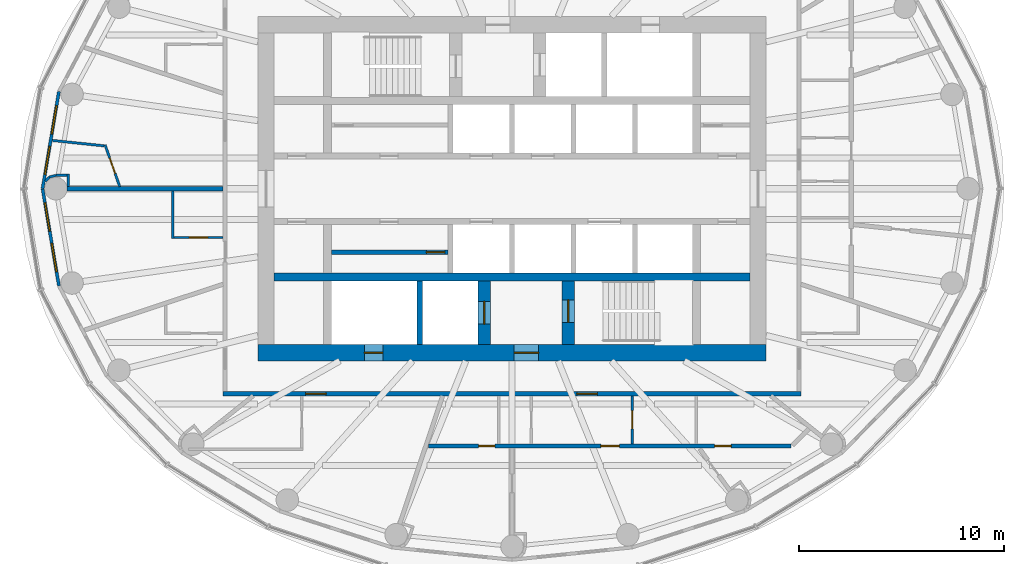
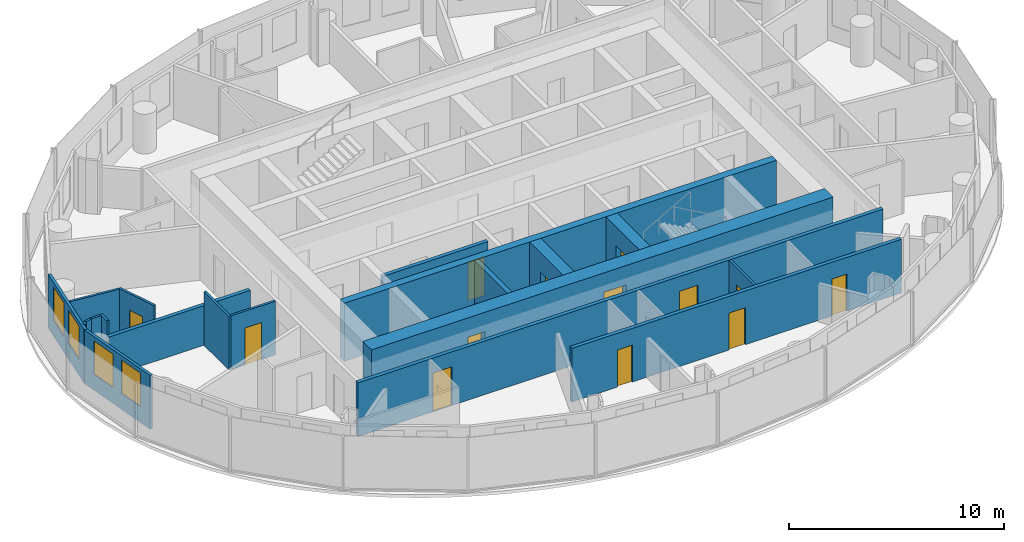
# One storey, part 7 of 14: 20 walls, 13 doors, 4 windows, 17 openings.
"""IFC4 building model written with IfcOpenShell, lengths in metres."""

from ifc_helpers import new_model, si_unit, direction, frame, frame_2d, origin, place, context, subcontext, project, spatial, rectangle, extrude, material, layer, layer_set, type_object, element, fill, save


model = new_model("IFC4")

# Units and contexts
model_context = context("Model", 3, precision=1e-05, world=origin(), true_north=direction((0.0, 1.0)))
body_context = subcontext(model_context, "Body", "Model", "MODEL_VIEW")
ifc_project = project(units=[si_unit("LENGTHUNIT", "METRE"), si_unit("AREAUNIT", "SQUARE_METRE"), si_unit("VOLUMEUNIT", "CUBIC_METRE"), si_unit("PLANEANGLEUNIT", "RADIAN"), si_unit("MASSUNIT", "GRAM", prefix="KILO")], contexts=[model_context])

# Site, building, storey
site_placement = place(None, origin())
site = spatial("IfcSite", under=ifc_project, at=site_placement, CompositionType="ELEMENT")
building_placement = place(site_placement, origin())
building = spatial("IfcBuilding", under=site, at=building_placement, Name="Hankou Lantern Tower", CompositionType="ELEMENT")
storey_placement = place(building_placement, frame((0.0, 0.0, 183.0)))
storey = spatial("IfcBuildingStorey", under=building, at=storey_placement, Name="L49", CompositionType="ELEMENT", Elevation=183.0)

# Wall, openings, doors
ifc_material_1 = material(Name="Concrete C60", Category="concrete")
ifc_layer_1 = layer(ifc_material_1, 0.800048828125)
ifc_layer_set_1 = layer_set([ifc_layer_1], Name="Concrete C60")
wall_type_1 = type_object("IfcWallType", Name="CW2 CORE WALL 800", PredefinedType="SHEAR", material=ifc_layer_set_1)
wall_1_placement = place(storey_placement, frame((12.39990234375, -8.0, 0.0), z_axis=(0.0, 0.0, 1.0), x_axis=(-1.0, 0.0, 0.0)))
wall_1 = element("IfcWall", 1, at=wall_1_placement, inside=storey, type_object=wall_type_1, Name="Core wall south L49", PredefinedType="SHEAR", context=body_context, shape_type="SweptSolid", body=[
    extrude(rectangle(XDim=24.7998046875, YDim=0.800048828125, at=frame_2d((12.39990234375, 0.0))), origin(), (0.0, 0.0, 1.0), 3.300048828125),
])
opening_1_placement = place(wall_1_placement, frame((11.10009765625, 0.0, 0.0)))
opening_1 = element("IfcOpeningElement", 2, at=opening_1_placement, cuts=wall_1, Name="Opening D5", PredefinedType="OPENING", context=body_context, shape_type="SweptSolid", body=[
    extrude(rectangle(XDim=1.199951171875, YDim=2.199951171875, at=frame_2d((0.60009765625, 1.10009765625))), frame((0.0, 0.409912109375, 0.0), z_axis=(0.0, -1.0, 0.0), x_axis=(1.0, 0.0, 0.0)), (0.0, 0.0, 1.0), 0.820068359375),
])
opening_2_placement = place(wall_1_placement, frame((18.699951171875, 0.0, 0.0)))
opening_2 = element("IfcOpeningElement", 3, at=opening_2_placement, cuts=wall_1, Name="Opening D7", PredefinedType="OPENING", context=body_context, shape_type="SweptSolid", body=[
    extrude(rectangle(XDim=0.89990234375, YDim=2.199951171875, at=frame_2d((0.449951171875, 1.10009765625))), frame((0.0, 0.409912109375, 0.0), z_axis=(0.0, -1.0, 0.0), x_axis=(1.0, 0.0, 0.0)), (0.0, 0.0, 1.0), 0.820068359375),
])
ifc_material_2 = material(Name="Steel door leaf", Category="steel")
door_type_1 = type_object("IfcDoorType", Name="D5 STAIR LOBBY DOOR 1200X2200", OperationType="SINGLE_SWING_LEFT", PredefinedType="DOOR", material=ifc_material_2)
door_1_placement = place(opening_1_placement, origin())
door_1 = element("IfcDoor", 4, at=door_1_placement, inside=storey, type_object=door_type_1, Name="Stair B lobby door", OperationType="SINGLE_SWING_LEFT", OverallHeight=2.199951171875, OverallWidth=1.199951171875, PredefinedType="DOOR", context=body_context, shape_type="SweptSolid", body=[
    extrude(rectangle(XDim=1.199951171875, YDim=2.199951171875, at=frame_2d((0.60009765625, 1.10009765625))), frame((0.0, 0.02490234375, 0.0), z_axis=(0.0, -1.0, 0.0), x_axis=(1.0, 0.0, 0.0)), (0.0, 0.0, 1.0), 0.050048828125),
])
fill(opening_1, door_1)
ifc_material_3 = material(Name="Steel door leaf", Category="steel")
door_type_2 = type_object("IfcDoorType", Name="D7 RISER DOOR 900X2200", OperationType="SINGLE_SWING_LEFT", PredefinedType="DOOR", material=ifc_material_3)
door_2_placement = place(opening_2_placement, origin())
door_2 = element("IfcDoor", 5, at=door_2_placement, inside=storey, type_object=door_type_2, Name="Riser S1 door", OperationType="SINGLE_SWING_RIGHT", OverallHeight=2.199951171875, OverallWidth=0.89990234375, PredefinedType="DOOR", context=body_context, shape_type="SweptSolid", body=[
    extrude(rectangle(XDim=0.89990234375, YDim=2.199951171875, at=frame_2d((0.449951171875, 1.10009765625))), frame((0.0, 0.02490234375, 0.0), z_axis=(0.0, -1.0, 0.0), x_axis=(1.0, 0.0, 0.0)), (0.0, 0.0, 1.0), 0.050048828125),
])
fill(opening_2, door_2)

# Wall
ifc_material_4 = material(Name="Concrete C60", Category="concrete")
ifc_layer_2 = layer(ifc_material_4, 0.39990234375)
ifc_layer_set_2 = layer_set([ifc_layer_2], Name="Concrete C60")
wall_type_2 = type_object("IfcWallType", Name="CW4 CORE CROSS WALL 400", PredefinedType="SHEAR", material=ifc_layer_set_2)
wall_2_placement = place(storey_placement, frame((-11.60009765625, -4.300048828125, 0.0), z_axis=(0.0, 0.0, 1.0), x_axis=(1.0, 0.0, 0.0)))
element("IfcWall", 6, at=wall_2_placement, inside=storey, type_object=wall_type_2, Name="Core band wall south L49", PredefinedType="SHEAR", context=body_context, shape_type="SweptSolid", body=[
    extrude(rectangle(XDim=23.2001953125, YDim=0.39990234375, at=frame_2d((11.60009765625, 0.0))), origin(), (0.0, 0.0, 1.0), 3.300048828125),
])

# Wall, opening, door
ifc_material_5 = material(Name="Concrete C60", Category="concrete")
ifc_layer_3 = layer(ifc_material_5, 0.60009765625)
ifc_layer_set_3 = layer_set([ifc_layer_3], Name="Concrete C60")
wall_type_3 = type_object("IfcWallType", Name="CW6 STAIR AND SHAFT WALL 600", PredefinedType="SHEAR", material=ifc_layer_set_3)
wall_3_placement = place(storey_placement, frame((2.75, -7.60009765625, 0.0), z_axis=(0.0, 0.0, 1.0), x_axis=(0.0, 1.0, 0.0)))
wall_3 = element("IfcWall", 7, at=wall_3_placement, inside=storey, type_object=wall_type_3, Name="Stair wall L49", PredefinedType="SHEAR", context=body_context, shape_type="SweptSolid", body=[
    extrude(rectangle(XDim=3.10009765625, YDim=0.60009765625, at=frame_2d((1.550048828125, 0.0))), origin(), (0.0, 0.0, 1.0), 3.300048828125),
])
opening_3_placement = place(wall_3_placement, frame((1.074951171875, 0.0, 0.0)))
opening_3 = element("IfcOpeningElement", 8, at=opening_3_placement, cuts=wall_3, Name="Opening D4", PredefinedType="OPENING", context=body_context, shape_type="SweptSolid", body=[
    extrude(rectangle(XDim=1.10009765625, YDim=2.199951171875, at=frame_2d((0.550048828125, 1.10009765625))), frame((0.0, 0.31005859375, 0.0), z_axis=(0.0, -1.0, 0.0), x_axis=(1.0, 0.0, 0.0)), (0.0, 0.0, 1.0), 0.6201171875),
])
ifc_material_6 = material(Name="Steel door leaf", Category="steel")
door_type_3 = type_object("IfcDoorType", Name="D4 STAIR DOOR 1100X2200", OperationType="SINGLE_SWING_LEFT", PredefinedType="DOOR", material=ifc_material_6)
door_3_placement = place(opening_3_placement, origin())
door_3 = element("IfcDoor", 9, at=door_3_placement, inside=storey, type_object=door_type_3, Name="Stair B door", OperationType="SINGLE_SWING_RIGHT", OverallHeight=2.199951171875, OverallWidth=1.10009765625, PredefinedType="DOOR", context=body_context, shape_type="SweptSolid", body=[
    extrude(rectangle(XDim=1.10009765625, YDim=2.199951171875, at=frame_2d((0.550048828125, 1.10009765625))), frame((0.0, 0.02490234375, 0.0), z_axis=(0.0, -1.0, 0.0), x_axis=(1.0, 0.0, 0.0)), (0.0, 0.0, 1.0), 0.050048828125),
])
fill(opening_3, door_3)

wall_4_placement = place(storey_placement, frame((-1.35009765625, -7.60009765625, 0.0), z_axis=(0.0, 0.0, 1.0), x_axis=(0.0, 1.0, 0.0)))
wall_4 = element("IfcWall", 10, at=wall_4_placement, inside=storey, type_object=wall_type_3, Name="Firefighting lift shaft wall L49", PredefinedType="SHEAR", context=body_context, shape_type="SweptSolid", body=[
    extrude(rectangle(XDim=3.10009765625, YDim=0.60009765625, at=frame_2d((1.550048828125, 0.0))), origin(), (0.0, 0.0, 1.0), 3.300048828125),
])
opening_4_placement = place(wall_4_placement, frame((1.0, 0.0, 0.0)))
opening_4 = element("IfcOpeningElement", 11, at=opening_4_placement, cuts=wall_4, Name="Opening LD2", PredefinedType="OPENING", context=body_context, shape_type="SweptSolid", body=[
    extrude(rectangle(XDim=1.10009765625, YDim=2.199951171875, at=frame_2d((0.550048828125, 1.10009765625))), frame((0.0, 0.31005859375, 0.0), z_axis=(0.0, -1.0, 0.0), x_axis=(1.0, 0.0, 0.0)), (0.0, 0.0, 1.0), 0.6201171875),
])
ifc_material_7 = material(Name="Steel door leaf", Category="steel")
door_type_4 = type_object("IfcDoorType", Name="LD2 FIREFIGHTING LIFT LANDING DOOR 1100X2200", OperationType="DOUBLE_DOOR_SLIDING", PredefinedType="DOOR", material=ifc_material_7)
door_4_placement = place(opening_4_placement, origin())
door_4 = element("IfcDoor", 12, at=door_4_placement, inside=storey, type_object=door_type_4, Name="Firefighting lift FL2 landing door", OperationType="DOUBLE_DOOR_SLIDING", OverallHeight=2.199951171875, OverallWidth=1.10009765625, PredefinedType="DOOR", context=body_context, shape_type="SweptSolid", body=[
    extrude(rectangle(XDim=1.10009765625, YDim=2.199951171875, at=frame_2d((0.550048828125, 1.10009765625))), frame((0.0, 0.02490234375, 0.0), z_axis=(0.0, -1.0, 0.0), x_axis=(1.0, 0.0, 0.0)), (0.0, 0.0, 1.0), 0.050048828125),
])
fill(opening_4, door_4)

# Wall, openings, windows
ifc_material_8 = material(Name="Aluminium spandrel panel on steel studs", Category="steel")
ifc_layer_4 = layer(ifc_material_8, 0.14990234375)
ifc_layer_set_4 = layer_set([ifc_layer_4], Name="Aluminium spandrel panel on steel studs")
wall_type_4 = type_object("IfcWallType", Name="EW1 INNER SKIN WALL 150", PredefinedType="ELEMENTEDWALL", material=ifc_layer_set_4)
wall_5_placement = place(storey_placement, frame((-22.1015625, 4.73779296875, 0.0), z_axis=(0.0, 0.0, 1.0), x_axis=(-0.166162111254, -0.986098449843, 0.0)))
wall_5 = element("IfcWall", 13, at=wall_5_placement, inside=storey, type_object=wall_type_4, Name="Inner skin R12-R13 L49", PredefinedType="ELEMENTEDWALL", context=body_context, shape_type="SweptSolid", body=[
    extrude(rectangle(XDim=4.8046875, YDim=0.14990234375, at=frame_2d((2.40234375, 0.0))), origin(), (0.0, 0.0, 1.0), 3.050048828125),
])
opening_5_placement = place(wall_5_placement, frame((0.7021484375, 0.0, 0.89990234375)))
opening_5 = element("IfcOpeningElement", 14, at=opening_5_placement, cuts=wall_5, Name="Opening W3", PredefinedType="OPENING", context=body_context, shape_type="SweptSolid", body=[
    extrude(rectangle(XDim=1.39990234375, YDim=1.89990234375, at=frame_2d((0.699951171875, 0.949951171875))), frame((0.0, 0.0849609375, 0.0), z_axis=(0.0, -1.0, 0.0), x_axis=(1.0, 0.0, 0.0)), (0.0, 0.0, 1.0), 0.169921875),
])
opening_6_placement = place(wall_5_placement, frame((2.7021484375, 0.0, 0.89990234375)))
opening_6 = element("IfcOpeningElement", 15, at=opening_6_placement, cuts=wall_5, Name="Opening W3", PredefinedType="OPENING", context=body_context, shape_type="SweptSolid", body=[
    extrude(rectangle(XDim=1.39990234375, YDim=1.89990234375, at=frame_2d((0.699951171875, 0.949951171875))), frame((0.0, 0.0849609375, 0.0), z_axis=(0.0, -1.0, 0.0), x_axis=(1.0, 0.0, 0.0)), (0.0, 0.0, 1.0), 0.169921875),
])
ifc_material_9 = material(Name="Aluminium framed double glazed window", Category="aluminium")
window_type = type_object("IfcWindowType", Name="W3 GUEST ROOM WINDOW 1400X1900", PartitioningType="DOUBLE_PANEL_VERTICAL", PredefinedType="WINDOW", material=ifc_material_9)
window_1_placement = place(opening_5_placement, origin())
window_1 = element("IfcWindow", 16, at=window_1_placement, inside=storey, type_object=window_type, Name="Window R12.1 L49", OverallHeight=1.89990234375, OverallWidth=1.39990234375, PartitioningType="SINGLE_PANEL", PredefinedType="WINDOW", context=body_context, shape_type="SweptSolid", body=[
    extrude(rectangle(XDim=1.39990234375, YDim=1.89990234375, at=frame_2d((0.699951171875, 0.949951171875))), frame((0.0, 0.030029296875, 0.0), z_axis=(0.0, -1.0, 0.0), x_axis=(1.0, 0.0, 0.0)), (0.0, 0.0, 1.0), 0.06005859375),
])
fill(opening_5, window_1)
window_2_placement = place(opening_6_placement, origin())
window_2 = element("IfcWindow", 17, at=window_2_placement, inside=storey, type_object=window_type, Name="Window R12.2 L49", OverallHeight=1.89990234375, OverallWidth=1.39990234375, PartitioningType="SINGLE_PANEL", PredefinedType="WINDOW", context=body_context, shape_type="SweptSolid", body=[
    extrude(rectangle(XDim=1.39990234375, YDim=1.89990234375, at=frame_2d((0.699951171875, 0.949951171875))), frame((0.0, 0.030029296875, 0.0), z_axis=(0.0, -1.0, 0.0), x_axis=(1.0, 0.0, 0.0)), (0.0, 0.0, 1.0), 0.06005859375),
])
fill(opening_6, window_2)

wall_6_placement = place(storey_placement, frame((-22.89990234375, 0.0, 0.0), z_axis=(0.0, 0.0, 1.0), x_axis=(0.166162111254, -0.986098449843, 0.0)))
wall_6 = element("IfcWall", 18, at=wall_6_placement, inside=storey, type_object=wall_type_4, Name="Inner skin R13-R14 L49", PredefinedType="ELEMENTEDWALL", context=body_context, shape_type="SweptSolid", body=[
    extrude(rectangle(XDim=4.8046875, YDim=0.14990234375, at=frame_2d((2.40234375, 0.0))), origin(), (0.0, 0.0, 1.0), 3.050048828125),
])
opening_7_placement = place(wall_6_placement, frame((0.7021484375, 0.0, 0.89990234375)))
opening_7 = element("IfcOpeningElement", 19, at=opening_7_placement, cuts=wall_6, Name="Opening W3", PredefinedType="OPENING", context=body_context, shape_type="SweptSolid", body=[
    extrude(rectangle(XDim=1.39990234375, YDim=1.89990234375, at=frame_2d((0.699951171875, 0.949951171875))), frame((0.0, 0.0849609375, 0.0), z_axis=(0.0, -1.0, 0.0), x_axis=(1.0, 0.0, 0.0)), (0.0, 0.0, 1.0), 0.169921875),
])
opening_8_placement = place(wall_6_placement, frame((2.7021484375, 0.0, 0.89990234375)))
opening_8 = element("IfcOpeningElement", 20, at=opening_8_placement, cuts=wall_6, Name="Opening W3", PredefinedType="OPENING", context=body_context, shape_type="SweptSolid", body=[
    extrude(rectangle(XDim=1.39990234375, YDim=1.89990234375, at=frame_2d((0.699951171875, 0.949951171875))), frame((0.0, 0.0849609375, 0.0), z_axis=(0.0, -1.0, 0.0), x_axis=(1.0, 0.0, 0.0)), (0.0, 0.0, 1.0), 0.169921875),
])
window_3_placement = place(opening_7_placement, origin())
window_3 = element("IfcWindow", 21, at=window_3_placement, inside=storey, type_object=window_type, Name="Window R13.1 L49", OverallHeight=1.89990234375, OverallWidth=1.39990234375, PartitioningType="SINGLE_PANEL", PredefinedType="WINDOW", context=body_context, shape_type="SweptSolid", body=[
    extrude(rectangle(XDim=1.39990234375, YDim=1.89990234375, at=frame_2d((0.699951171875, 0.949951171875))), frame((0.0, 0.030029296875, 0.0), z_axis=(0.0, -1.0, 0.0), x_axis=(1.0, 0.0, 0.0)), (0.0, 0.0, 1.0), 0.06005859375),
])
fill(opening_7, window_3)
window_4_placement = place(opening_8_placement, origin())
window_4 = element("IfcWindow", 22, at=window_4_placement, inside=storey, type_object=window_type, Name="Window R13.2 L49", OverallHeight=1.89990234375, OverallWidth=1.39990234375, PartitioningType="SINGLE_PANEL", PredefinedType="WINDOW", context=body_context, shape_type="SweptSolid", body=[
    extrude(rectangle(XDim=1.39990234375, YDim=1.89990234375, at=frame_2d((0.699951171875, 0.949951171875))), frame((0.0, 0.030029296875, 0.0), z_axis=(0.0, -1.0, 0.0), x_axis=(1.0, 0.0, 0.0)), (0.0, 0.0, 1.0), 0.06005859375),
])
fill(opening_8, window_4)

# Wall
ifc_material_10 = material(Name="Masonry lightweight concrete block", Category="masonry")
ifc_layer_5 = layer(ifc_material_10, 0.199951171875)
ifc_layer_set_5 = layer_set([ifc_layer_5], Name="Masonry lightweight concrete block")
wall_type_5 = type_object("IfcWallType", Name="IW1 GUEST ROOM PARTY WALL 200", PredefinedType="PARTITIONING", material=ifc_layer_set_5)
wall_7_placement = place(storey_placement, frame((-14.10009765625, 0.0, 0.0), z_axis=(0.0, 0.0, 1.0), x_axis=(-1.0, 0.0, 0.0)))
element("IfcWall", 23, at=wall_7_placement, inside=storey, type_object=wall_type_5, Name="Party wall R13", PredefinedType="PARTITIONING", context=body_context, shape_type="SweptSolid", body=[
    extrude(rectangle(XDim=7.599853515625, YDim=0.199951171875, at=frame_2d((3.7998046875, 0.0))), origin(), (0.0, 0.0, 1.0), 2.25),
])

# Wall, openings, doors
ifc_material_11 = material(Name="Masonry lightweight concrete block", Category="masonry")
ifc_layer_6 = layer(ifc_material_11, 0.199951171875)
ifc_layer_set_6 = layer_set([ifc_layer_6], Name="Masonry lightweight concrete block")
wall_type_6 = type_object("IfcWallType", Name="IW2 CORRIDOR WALL 200", PredefinedType="PARTITIONING", material=ifc_layer_set_6)
wall_8_placement = place(storey_placement, frame((14.10009765625, -10.0, 0.0), z_axis=(0.0, 0.0, 1.0), x_axis=(-1.0, 0.0, 0.0)))
wall_8 = element("IfcWall", 24, at=wall_8_placement, inside=storey, type_object=wall_type_6, Name="Corridor wall south", PredefinedType="PARTITIONING", context=body_context, shape_type="SweptSolid", body=[
    extrude(rectangle(XDim=28.2001953125, YDim=0.199951171875, at=frame_2d((14.10009765625, 0.0))), origin(), (0.0, 0.0, 1.0), 3.050048828125),
])
opening_9_placement = place(wall_8_placement, frame((23.1650390625, 0.0, 0.0)))
opening_9 = element("IfcOpeningElement", 25, at=opening_9_placement, cuts=wall_8, Name="Opening D2", PredefinedType="OPENING", context=body_context, shape_type="SweptSolid", body=[
    extrude(rectangle(XDim=1.0, YDim=2.199951171875, at=frame_2d((0.5, 1.10009765625))), frame((0.0, 0.10986328125, 0.0), z_axis=(0.0, -1.0, 0.0), x_axis=(1.0, 0.0, 0.0)), (0.0, 0.0, 1.0), 0.219970703125),
])
opening_10_placement = place(wall_8_placement, frame((9.939697265625, 0.0, 0.0)))
opening_10 = element("IfcOpeningElement", 26, at=opening_10_placement, cuts=wall_8, Name="Opening D2", PredefinedType="OPENING", context=body_context, shape_type="SweptSolid", body=[
    extrude(rectangle(XDim=1.0, YDim=2.199951171875, at=frame_2d((0.5, 1.10009765625))), frame((0.0, 0.10986328125, 0.0), z_axis=(0.0, -1.0, 0.0), x_axis=(1.0, 0.0, 0.0)), (0.0, 0.0, 1.0), 0.219970703125),
])
ifc_material_12 = material(Name="Steel door leaf", Category="steel")
door_type_5 = type_object("IfcDoorType", Name="D2 SUITE DOOR 1000X2200", OperationType="SINGLE_SWING_LEFT", PredefinedType="DOOR", material=ifc_material_12)
door_5_placement = place(opening_9_placement, origin())
door_5 = element("IfcDoor", 27, at=door_5_placement, inside=storey, type_object=door_type_5, Name="Suite door 4902", OperationType="SINGLE_SWING_RIGHT", OverallHeight=2.199951171875, OverallWidth=1.0, PredefinedType="DOOR", context=body_context, shape_type="SweptSolid", body=[
    extrude(rectangle(XDim=1.0, YDim=2.199951171875, at=frame_2d((0.5, 1.10009765625))), frame((0.0, 0.02490234375, 0.0), z_axis=(0.0, -1.0, 0.0), x_axis=(1.0, 0.0, 0.0)), (0.0, 0.0, 1.0), 0.050048828125),
])
fill(opening_9, door_5)
door_6_placement = place(opening_10_placement, origin())
door_6 = element("IfcDoor", 28, at=door_6_placement, inside=storey, type_object=door_type_5, Name="Suite door 4903", OperationType="SINGLE_SWING_LEFT", OverallHeight=2.199951171875, OverallWidth=1.0, PredefinedType="DOOR", context=body_context, shape_type="SweptSolid", body=[
    extrude(rectangle(XDim=1.0, YDim=2.199951171875, at=frame_2d((0.5, 1.10009765625))), frame((0.0, 0.02490234375, 0.0), z_axis=(0.0, -1.0, 0.0), x_axis=(1.0, 0.0, 0.0)), (0.0, 0.0, 1.0), 0.050048828125),
])
fill(opening_10, door_6)

# Wall, opening, door
ifc_material_13 = material(Name="Masonry lightweight concrete block", Category="masonry")
ifc_layer_7 = layer(ifc_material_13, 0.1201171875)
ifc_layer_set_7 = layer_set([ifc_layer_7], Name="Masonry lightweight concrete block")
wall_type_7 = type_object("IfcWallType", Name="IW3 BATHROOM WALL 120", PredefinedType="PARTITIONING", material=ifc_layer_set_7)
wall_9_placement = place(storey_placement, frame((5.870361328125, -10.10009765625, 0.0), z_axis=(0.0, 0.0, 1.0), x_axis=(0.0, -1.0, 0.0)))
wall_9 = element("IfcWall", 29, at=wall_9_placement, inside=storey, type_object=wall_type_7, Name="Box wall 4903 3", PredefinedType="PARTITIONING", context=body_context, shape_type="SweptSolid", body=[
    extrude(rectangle(XDim=2.349853515625, YDim=0.1201171875, at=frame_2d((1.1748046875, 0.0))), origin(), (0.0, 0.0, 1.0), 3.050048828125),
])
opening_11_placement = place(wall_9_placement, frame((0.719970703125, 0.0, 0.0)))
opening_11 = element("IfcOpeningElement", 30, at=opening_11_placement, cuts=wall_9, Name="Opening D27", PredefinedType="OPENING", context=body_context, shape_type="SweptSolid", body=[
    extrude(rectangle(XDim=0.89990234375, YDim=2.10009765625, at=frame_2d((0.449951171875, 1.050048828125))), frame((0.0, 0.070068359375, 0.0), z_axis=(0.0, -1.0, 0.0), x_axis=(1.0, 0.0, 0.0)), (0.0, 0.0, 1.0), 0.14013671875),
])
ifc_material_14 = material(Name="Timber door leaf", Category="wood")
door_type_6 = type_object("IfcDoorType", Name="D27 INTERNAL DOOR 900X2100", OperationType="SINGLE_SWING_LEFT", PredefinedType="DOOR", material=ifc_material_14)
door_7_placement = place(opening_11_placement, origin())
door_7 = element("IfcDoor", 31, at=door_7_placement, inside=storey, type_object=door_type_6, Name="Family suite 4903 walk-in wardrobe door", OperationType="SINGLE_SWING_LEFT", OverallHeight=2.10009765625, OverallWidth=0.89990234375, PredefinedType="DOOR", context=body_context, shape_type="SweptSolid", body=[
    extrude(rectangle(XDim=0.89990234375, YDim=2.10009765625, at=frame_2d((0.449951171875, 1.050048828125))), frame((0.0, 0.02490234375, 0.0), z_axis=(0.0, -1.0, 0.0), x_axis=(1.0, 0.0, 0.0)), (0.0, 0.0, 1.0), 0.050048828125),
])
fill(opening_11, door_7)

wall_10_placement = place(storey_placement, frame((-19.135009765625, 0.10009765625, 0.0), z_axis=(0.0, 0.0, 1.0), x_axis=(-0.330692497329, 0.943738561367, 0.0)))
wall_10 = element("IfcWall", 32, at=wall_10_placement, inside=storey, type_object=wall_type_7, Name="Box wall 4911 1", PredefinedType="PARTITIONING", context=body_context, shape_type="SweptSolid", body=[
    extrude(rectangle(XDim=2.16162109375, YDim=0.1201171875, at=frame_2d((1.080810546875, 0.0))), origin(), (0.0, 0.0, 1.0), 3.050048828125),
])
opening_12_placement = place(wall_10_placement, frame((0.680908203125, 0.0, 0.0)))
opening_12 = element("IfcOpeningElement", 33, at=opening_12_placement, cuts=wall_10, Name="Opening D3", PredefinedType="OPENING", context=body_context, shape_type="SweptSolid", body=[
    extrude(rectangle(XDim=0.800048828125, YDim=2.10009765625, at=frame_2d((0.39990234375, 1.050048828125))), frame((0.0, 0.070068359375, 0.0), z_axis=(0.0, -1.0, 0.0), x_axis=(1.0, 0.0, 0.0)), (0.0, 0.0, 1.0), 0.14013671875),
])
ifc_material_15 = material(Name="Timber door leaf", Category="wood")
door_type_7 = type_object("IfcDoorType", Name="D3 BATHROOM DOOR 800X2100", OperationType="SINGLE_SWING_LEFT", PredefinedType="DOOR", material=ifc_material_15)
door_8_placement = place(opening_12_placement, origin())
door_8 = element("IfcDoor", 34, at=door_8_placement, inside=storey, type_object=door_type_7, Name="En-suite bathroom 4911 door", OperationType="SINGLE_SWING_LEFT", OverallHeight=2.10009765625, OverallWidth=0.800048828125, PredefinedType="DOOR", context=body_context, shape_type="SweptSolid", body=[
    extrude(rectangle(XDim=0.800048828125, YDim=2.10009765625, at=frame_2d((0.39990234375, 1.050048828125))), frame((0.0, 0.02490234375, 0.0), z_axis=(0.0, -1.0, 0.0), x_axis=(1.0, 0.0, 0.0)), (0.0, 0.0, 1.0), 0.050048828125),
])
fill(opening_12, door_8)

# Walls
wall_11_placement = place(storey_placement, frame((-19.8896484375, 2.08984375, 0.0), z_axis=(0.0, 0.0, 1.0), x_axis=(-0.994527025269, 0.104479644, 0.0)))
element("IfcWall", 35, at=wall_11_placement, inside=storey, type_object=wall_type_7, Name="Box wall 4911 2", PredefinedType="PARTITIONING", context=body_context, shape_type="SweptSolid", body=[
    extrude(rectangle(XDim=2.5400390625, YDim=0.1201171875, at=frame_2d((1.27001953125, 0.0))), origin(), (0.0, 0.0, 1.0), 3.050048828125),
])
wall_12_placement = place(storey_placement, frame((-21.639892578125, 0.10009765625, 0.0), z_axis=(0.0, 0.0, 1.0), x_axis=(0.0, 1.0, 0.0)))
element("IfcWall", 36, at=wall_12_placement, inside=storey, type_object=wall_type_7, Name="Column casing 4911 return", PredefinedType="PARTITIONING", context=body_context, shape_type="SweptSolid", body=[
    extrude(rectangle(XDim=0.612060546875, YDim=0.1201171875, at=frame_2d((0.30615234375, 0.0))), origin(), (0.0, 0.0, 1.0), 3.050048828125),
])
wall_13_placement = place(storey_placement, frame((-21.699951171875, 0.65234375, 0.0), z_axis=(0.0, 0.0, 1.0), x_axis=(-1.0, 0.0, 0.0)))
element("IfcWall", 37, at=wall_13_placement, inside=storey, type_object=wall_type_7, Name="Column casing 4911", PredefinedType="PARTITIONING", context=body_context, shape_type="SweptSolid", body=[
    extrude(rectangle(XDim=0.550048828125, YDim=0.1201171875, at=frame_2d((0.27490234375, 0.0))), origin(), (0.0, 0.0, 1.0), 3.050048828125),
])
wall_14_placement = place(storey_placement, frame((-22.25, 0.65234375, 0.0), z_axis=(0.0, 0.0, 1.0), x_axis=(-0.965922233104, -0.258832454679, 0.0)))
element("IfcWall", 38, at=wall_14_placement, inside=storey, type_object=wall_type_7, Name="Column casing 4911", PredefinedType="PARTITIONING", context=body_context, shape_type="SweptSolid", body=[
    extrude(rectangle(XDim=0.337646484375, YDim=0.1201171875, at=frame_2d((0.1689453125, 0.0))), origin(), (0.0, 0.0, 1.0), 3.050048828125),
])
wall_15_placement = place(storey_placement, frame((-22.576171875, 0.56494140625, 0.0), z_axis=(0.0, 0.0, 1.0), x_axis=(-0.706639272724, -0.707573980757, 0.0)))
element("IfcWall", 39, at=wall_15_placement, inside=storey, type_object=wall_type_7, Name="Column casing 4911", PredefinedType="PARTITIONING", context=body_context, shape_type="SweptSolid", body=[
    extrude(rectangle(XDim=0.26123046875, YDim=0.1201171875, at=frame_2d((0.130615234375, 0.0))), origin(), (0.0, 0.0, 1.0), 3.050048828125),
])
wall_16_placement = place(storey_placement, frame((-16.550048828125, -0.10009765625, 0.0), z_axis=(0.0, 0.0, 1.0), x_axis=(0.0, -1.0, 0.0)))
element("IfcWall", 40, at=wall_16_placement, inside=storey, type_object=wall_type_7, Name="Box wall 4912 1", PredefinedType="PARTITIONING", context=body_context, shape_type="SweptSolid", body=[
    extrude(rectangle(XDim=2.33984375, YDim=0.1201171875, at=frame_2d((1.169921875, 0.0))), origin(), (0.0, 0.0, 1.0), 3.050048828125),
])

# Wall, opening, door
wall_17_placement = place(storey_placement, frame((-14.10009765625, -2.3798828125, 0.0), z_axis=(0.0, 0.0, 1.0), x_axis=(-1.0, 0.0, 0.0)))
wall_17 = element("IfcWall", 41, at=wall_17_placement, inside=storey, type_object=wall_type_7, Name="Box wall 4912 1", PredefinedType="PARTITIONING", context=body_context, shape_type="SweptSolid", body=[
    extrude(rectangle(XDim=2.389892578125, YDim=0.1201171875, at=frame_2d((1.19482421875, 0.0))), origin(), (0.0, 0.0, 1.0), 3.050048828125),
])
opening_13_placement = place(wall_17_placement, frame((0.75, 0.0, 0.0)))
opening_13 = element("IfcOpeningElement", 42, at=opening_13_placement, cuts=wall_17, Name="Opening D26", PredefinedType="OPENING", context=body_context, shape_type="SweptSolid", body=[
    extrude(rectangle(XDim=0.89990234375, YDim=2.10009765625, at=frame_2d((0.449951171875, 1.050048828125))), frame((0.0, 0.070068359375, 0.0), z_axis=(0.0, -1.0, 0.0), x_axis=(1.0, 0.0, 0.0)), (0.0, 0.0, 1.0), 0.14013671875),
])
ifc_material_16 = material(Name="Timber door leaf", Category="wood")
door_type_8 = type_object("IfcDoorType", Name="D26 ACCESSIBLE BATHROOM DOOR 900X2100", OperationType="SLIDING_TO_LEFT", PredefinedType="DOOR", material=ifc_material_16)
door_9_placement = place(opening_13_placement, origin())
door_9 = element("IfcDoor", 43, at=door_9_placement, inside=storey, type_object=door_type_8, Name="Accessible bathroom 4912 door", OperationType="SLIDING_TO_LEFT", OverallHeight=2.10009765625, OverallWidth=0.89990234375, PredefinedType="DOOR", context=body_context, shape_type="SweptSolid", body=[
    extrude(rectangle(XDim=0.89990234375, YDim=2.10009765625, at=frame_2d((0.449951171875, 1.050048828125))), frame((0.0, 0.02490234375, 0.0), z_axis=(0.0, -1.0, 0.0), x_axis=(1.0, 0.0, 0.0)), (0.0, 0.0, 1.0), 0.050048828125),
])
fill(opening_13, door_9)

# Wall, openings, doors
ifc_material_17 = material(Name="Masonry lightweight concrete block", Category="masonry")
ifc_layer_8 = layer(ifc_material_17, 0.199951171875)
ifc_layer_set_8 = layer_set([ifc_layer_8], Name="Masonry lightweight concrete block")
wall_type_8 = type_object("IfcWallType", Name="IW6 SUITE PARTITION 200", PredefinedType="PARTITIONING", material=ifc_layer_set_8)
wall_18_placement = place(storey_placement, frame((-4.08203125, -12.550048828125, 0.0), z_axis=(0.0, 0.0, 1.0), x_axis=(1.0, 0.0, 0.0)))
wall_18 = element("IfcWall", 44, at=wall_18_placement, inside=storey, type_object=wall_type_8, Name="Suite foyer wall 4903", PredefinedType="PARTITIONING", context=body_context, shape_type="SweptSolid", body=[
    extrude(rectangle(XDim=17.690673828125, YDim=0.199951171875, at=frame_2d((8.84521484375, 0.0))), origin(), (0.0, 0.0, 1.0), 3.050048828125),
])
opening_14_placement = place(wall_18_placement, frame((2.44921875, 0.0, 0.0)))
opening_14 = element("IfcOpeningElement", 45, at=opening_14_placement, cuts=wall_18, Name="Opening D3", PredefinedType="OPENING", context=body_context, shape_type="SweptSolid", body=[
    extrude(rectangle(XDim=0.800048828125, YDim=2.10009765625, at=frame_2d((0.39990234375, 1.050048828125))), frame((0.0, 0.10986328125, 0.0), z_axis=(0.0, -1.0, 0.0), x_axis=(1.0, 0.0, 0.0)), (0.0, 0.0, 1.0), 0.219970703125),
])
opening_15_placement = place(wall_18_placement, frame((13.969970703125, 0.0, 0.0)))
opening_15 = element("IfcOpeningElement", 46, at=opening_15_placement, cuts=wall_18, Name="Opening D3", PredefinedType="OPENING", context=body_context, shape_type="SweptSolid", body=[
    extrude(rectangle(XDim=0.800048828125, YDim=2.10009765625, at=frame_2d((0.39990234375, 1.050048828125))), frame((0.0, 0.10986328125, 0.0), z_axis=(0.0, -1.0, 0.0), x_axis=(1.0, 0.0, 0.0)), (0.0, 0.0, 1.0), 0.219970703125),
])
opening_16_placement = place(wall_18_placement, frame((8.419921875, 0.0, 0.0)))
opening_16 = element("IfcOpeningElement", 47, at=opening_16_placement, cuts=wall_18, Name="Opening D27", PredefinedType="OPENING", context=body_context, shape_type="SweptSolid", body=[
    extrude(rectangle(XDim=0.89990234375, YDim=2.10009765625, at=frame_2d((0.449951171875, 1.050048828125))), frame((0.0, 0.10986328125, 0.0), z_axis=(0.0, -1.0, 0.0), x_axis=(1.0, 0.0, 0.0)), (0.0, 0.0, 1.0), 0.219970703125),
])
door_10_placement = place(opening_16_placement, origin())
door_10 = element("IfcDoor", 48, at=door_10_placement, inside=storey, type_object=door_type_6, Name="Family suite 4903 living room door", OperationType="SINGLE_SWING_RIGHT", OverallHeight=2.10009765625, OverallWidth=0.89990234375, PredefinedType="DOOR", context=body_context, shape_type="SweptSolid", body=[
    extrude(rectangle(XDim=0.89990234375, YDim=2.10009765625, at=frame_2d((0.449951171875, 1.050048828125))), frame((0.0, 0.02490234375, 0.0), z_axis=(0.0, -1.0, 0.0), x_axis=(1.0, 0.0, 0.0)), (0.0, 0.0, 1.0), 0.050048828125),
])
fill(opening_16, door_10)
door_11_placement = place(opening_14_placement, origin())
door_11 = element("IfcDoor", 49, at=door_11_placement, inside=storey, type_object=door_type_7, Name="Family suite 4903 bathroom door", OperationType="SINGLE_SWING_RIGHT", OverallHeight=2.10009765625, OverallWidth=0.800048828125, PredefinedType="DOOR", context=body_context, shape_type="SweptSolid", body=[
    extrude(rectangle(XDim=0.800048828125, YDim=2.10009765625, at=frame_2d((0.39990234375, 1.050048828125))), frame((0.0, 0.02490234375, 0.0), z_axis=(0.0, -1.0, 0.0), x_axis=(1.0, 0.0, 0.0)), (0.0, 0.0, 1.0), 0.050048828125),
])
fill(opening_14, door_11)
door_12_placement = place(opening_15_placement, origin())
door_12 = element("IfcDoor", 50, at=door_12_placement, inside=storey, type_object=door_type_7, Name="Family suite 4903 second bathroom door", OperationType="SINGLE_SWING_LEFT", OverallHeight=2.10009765625, OverallWidth=0.800048828125, PredefinedType="DOOR", context=body_context, shape_type="SweptSolid", body=[
    extrude(rectangle(XDim=0.800048828125, YDim=2.10009765625, at=frame_2d((0.39990234375, 1.050048828125))), frame((0.0, 0.02490234375, 0.0), z_axis=(0.0, -1.0, 0.0), x_axis=(1.0, 0.0, 0.0)), (0.0, 0.0, 1.0), 0.050048828125),
])
fill(opening_15, door_12)

# Wall, opening, door
ifc_material_18 = material(Name="Masonry lightweight concrete block", Category="masonry")
ifc_layer_9 = layer(ifc_material_18, 0.199951171875)
ifc_layer_set_9 = layer_set([ifc_layer_9], Name="Masonry lightweight concrete block")
wall_type_9 = type_object("IfcWallType", Name="IW8 PARTITION 200", PredefinedType="PARTITIONING", material=ifc_layer_set_9)
wall_19_placement = place(storey_placement, frame((-8.800048828125, -3.10009765625, 0.0), z_axis=(0.0, 0.0, 1.0), x_axis=(1.0, 0.0, 0.0)))
wall_19 = element("IfcWall", 51, at=wall_19_placement, inside=storey, type_object=wall_type_9, Name="Partition guest pantry and ice room", PredefinedType="PARTITIONING", context=body_context, shape_type="SweptSolid", body=[
    extrude(rectangle(XDim=5.675048828125, YDim=0.199951171875, at=frame_2d((2.83740234375, 0.0))), origin(), (0.0, 0.0, 1.0), 3.050048828125),
])
opening_17_placement = place(wall_19_placement, frame((4.625, 0.0, 0.0)))
opening_17 = element("IfcOpeningElement", 52, at=opening_17_placement, cuts=wall_19, Name="Opening D12", PredefinedType="OPENING", context=body_context, shape_type="SweptSolid", body=[
    extrude(rectangle(XDim=0.89990234375, YDim=2.199951171875, at=frame_2d((0.449951171875, 1.10009765625))), frame((0.0, 0.10986328125, 0.0), z_axis=(0.0, -1.0, 0.0), x_axis=(1.0, 0.0, 0.0)), (0.0, 0.0, 1.0), 0.219970703125),
])
ifc_material_19 = material(Name="Steel door leaf", Category="steel")
door_type_9 = type_object("IfcDoorType", Name="D12 STORE DOOR 900X2200", OperationType="SINGLE_SWING_LEFT", PredefinedType="DOOR", material=ifc_material_19)
door_13_placement = place(opening_17_placement, origin())
door_13 = element("IfcDoor", 53, at=door_13_placement, inside=storey, type_object=door_type_9, Name="Ice machine cupboard door", OperationType="SINGLE_SWING_RIGHT", OverallHeight=2.199951171875, OverallWidth=0.89990234375, PredefinedType="DOOR", context=body_context, shape_type="SweptSolid", body=[
    extrude(rectangle(XDim=0.89990234375, YDim=2.199951171875, at=frame_2d((0.449951171875, 1.10009765625))), frame((0.0, 0.02490234375, 0.0), z_axis=(0.0, -1.0, 0.0), x_axis=(1.0, 0.0, 0.0)), (0.0, 0.0, 1.0), 0.050048828125),
])
fill(opening_17, door_13)

# Wall
ifc_material_20 = material(Name="Masonry autoclaved aerated concrete block", Category="masonry")
ifc_layer_10 = layer(ifc_material_20, 0.25)
ifc_layer_set_10 = layer_set([ifc_layer_10], Name="Masonry autoclaved aerated concrete block")
wall_type_10 = type_object("IfcWallType", Name="SW1 SHAFT BLOCK WALL 250", PredefinedType="PARTITIONING", material=ifc_layer_set_10)
wall_20_placement = place(storey_placement, frame((-4.5, -7.60009765625, 0.0), z_axis=(0.0, 0.0, 1.0), x_axis=(0.0, 1.0, 0.0)))
element("IfcWall", 54, at=wall_20_placement, inside=storey, type_object=wall_type_10, Name="Riser wall L49", PredefinedType="PARTITIONING", context=body_context, shape_type="SweptSolid", body=[
    extrude(rectangle(XDim=3.10009765625, YDim=0.25, at=frame_2d((1.550048828125, 0.0))), origin(), (0.0, 0.0, 1.0), 3.300048828125),
])

save(model, "model.ifc")
